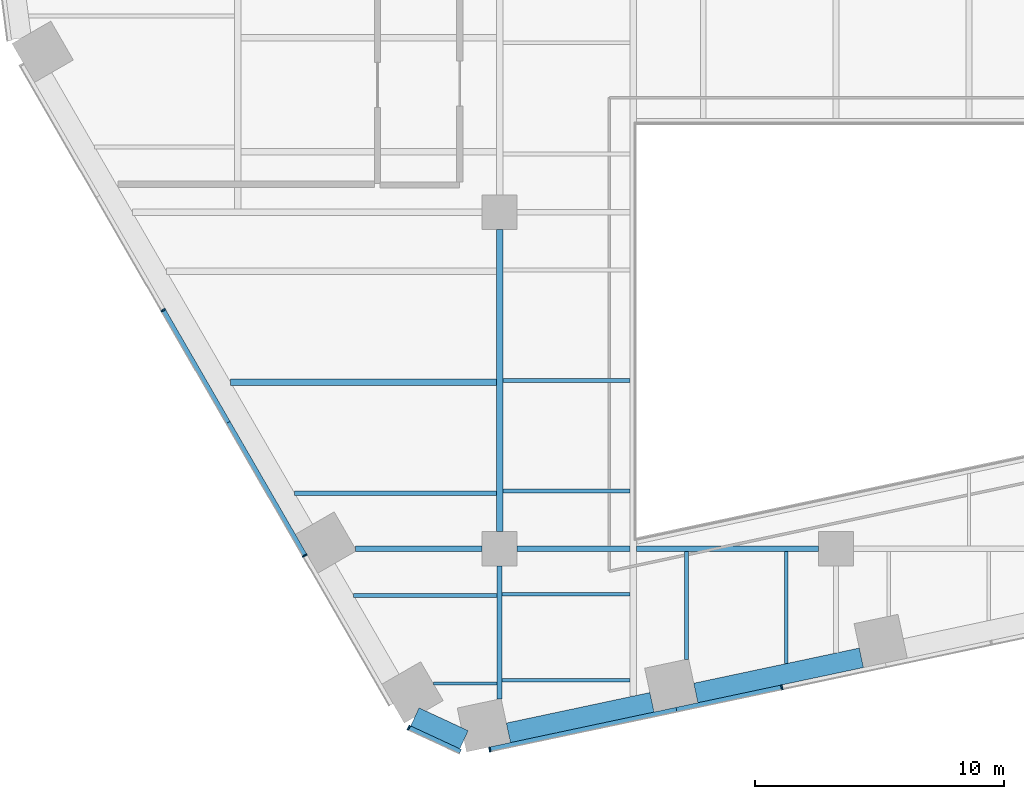
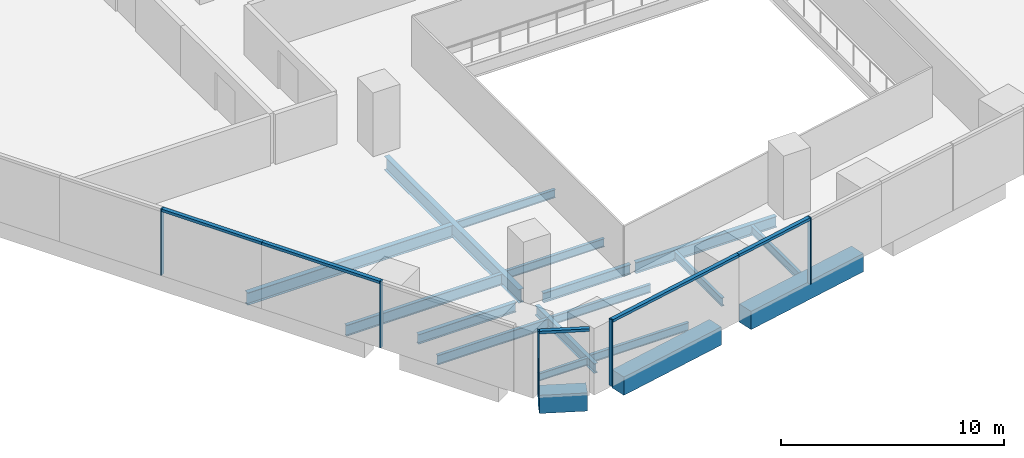
# One storey, part 2 of 20: 18 beams, 10 members, 3 elements without a shape of their own.
"""IFC4 building model written with IfcOpenShell, lengths in metres."""

from ifc_helpers import new_model, si_unit, direction, frame, origin, origin_2d, place, context, subcontext, project, spatial, rectangle, i_section, extrude, material, layer, layer_set, material_profile, profile_set, type_object, element, aggregate, save


model = new_model("IFC4")

# Units and contexts
model_context = context("Model", 3, precision=1e-05, world=origin(), true_north=direction((0.0, 1.0)))
body_context = subcontext(model_context, "Body", "Model", "MODEL_VIEW")
ifc_project = project(units=[si_unit("LENGTHUNIT", "METRE"), si_unit("AREAUNIT", "SQUARE_METRE"), si_unit("VOLUMEUNIT", "CUBIC_METRE"), si_unit("PLANEANGLEUNIT", "RADIAN"), si_unit("MASSUNIT", "GRAM", prefix="KILO")], contexts=[model_context])

# Site, building, storey
site_placement = place(None, origin())
site = spatial("IfcSite", under=ifc_project, at=site_placement, CompositionType="ELEMENT")
building_placement = place(site_placement, origin())
building = spatial("IfcBuilding", under=site, at=building_placement, Name="Isthmus Gate Tower", CompositionType="ELEMENT")
storey_placement = place(building_placement, frame((0.0, 0.0, 43.300048828125)))
storey = spatial("IfcBuildingStorey", under=building, at=storey_placement, Name="L08", CompositionType="ELEMENT", Elevation=43.300048828125)

# Curtain wall, members
ifc_material_1 = material(Name="Aluminium, pale champagne anodised", Category="aluminium")
ifc_layer = layer(ifc_material_1, 0.199951171875)
ifc_layer_set = layer_set([ifc_layer], Name="CW-1 UNITISED CURTAIN WALL 200 DEEP")
curtain_wall_type = type_object("IfcCurtainWallType", Name="CW-1 UNITISED CURTAIN WALL 200 DEEP", PredefinedType="NOTDEFINED", material=ifc_layer_set)
curtain_wall_1_placement = place(storey_placement, origin())
curtain_wall_1 = element("IfcCurtainWall", 1, at=curtain_wall_1_placement, inside=storey, type_object=curtain_wall_type, Name="CW-1 SW L08", PredefinedType="NOTDEFINED")
ifc_material_2 = material(Name="Aluminium, pale champagne anodised", Category="aluminium")
ifc_material_profile_1 = material_profile(ifc_material_2, rectangle(XDim=0.06005859375, YDim=0.199951171875, at=origin_2d()), Name="60x200")
ifc_profile_set_1 = profile_set([ifc_material_profile_1], Name="Aluminium, pale champagne anodised")
member_type_1 = type_object("IfcMemberType", Name="CW-1 MULLION 60 X 200", PredefinedType="MULLION", material=ifc_profile_set_1)
member_1_placement = place(storey_placement, frame((-27.001708984375, -17.431640625, 0.0), z_axis=(0.0, 0.0, 1.0), x_axis=(0.5, -0.866025403784, 0.0)))
member_1 = element("IfcMember", 2, at=member_1_placement, type_object=member_type_1, Name="CW-1 mullion", PredefinedType="MULLION", context=body_context, shape_type="SweptSolid", body=[
    extrude(rectangle(XDim=0.06005859375, YDim=0.199951171875, at=origin_2d()), origin(), (0.0, 0.0, 1.0), 3.64990234375),
])
member_2_placement = place(storey_placement, frame((-21.318115234375, -27.27587890625, 0.0), z_axis=(0.0, 0.0, 1.0), x_axis=(0.5, -0.866025403784, 0.0)))
member_2 = element("IfcMember", 3, at=member_2_placement, type_object=member_type_1, Name="CW-1 mullion", PredefinedType="MULLION", context=body_context, shape_type="SweptSolid", body=[
    extrude(rectangle(XDim=0.06005859375, YDim=0.199951171875, at=origin_2d()), origin(), (0.0, 0.0, 1.0), 3.64990234375),
])

# Curtain wall, member
curtain_wall_2_placement = place(storey_placement, origin())
curtain_wall_2 = element("IfcCurtainWall", 4, at=curtain_wall_2_placement, inside=storey, type_object=curtain_wall_type, Name="CW-1 SW-S L08", PredefinedType="NOTDEFINED")
member_3_placement = place(storey_placement, frame((-17.14794921875, -34.184814453125, 0.0), z_axis=(0.0, 0.0, 1.0), x_axis=(0.907256261367, -0.420578264073, 0.0)))
member_3 = element("IfcMember", 5, at=member_3_placement, type_object=member_type_1, Name="CW-1 mullion", PredefinedType="MULLION", context=body_context, shape_type="SweptSolid", body=[
    extrude(rectangle(XDim=0.06005859375, YDim=0.199951171875, at=origin_2d()), origin(), (0.0, 0.0, 1.0), 3.64990234375),
])

# Curtain wall, members
curtain_wall_3_placement = place(storey_placement, origin())
curtain_wall_3 = element("IfcCurtainWall", 6, at=curtain_wall_3_placement, inside=storey, type_object=curtain_wall_type, Name="CW-1 S L08", PredefinedType="NOTDEFINED")
member_4_placement = place(storey_placement, frame((-13.89501953125, -35.0556640625, 0.0), z_axis=(0.0, 0.0, 1.0), x_axis=(0.978147600734, 0.207911690818, 0.0)))
member_4 = element("IfcMember", 7, at=member_4_placement, type_object=member_type_1, Name="CW-1 mullion", PredefinedType="MULLION", context=body_context, shape_type="SweptSolid", body=[
    extrude(rectangle(XDim=0.06005859375, YDim=0.199951171875, at=origin_2d()), origin(), (0.0, 0.0, 1.0), 3.64990234375),
])
member_5_placement = place(storey_placement, frame((-2.1728515625, -32.564208984375, 0.0), z_axis=(0.0, 0.0, 1.0), x_axis=(0.978147600734, 0.207911690818, 0.0)))
member_5 = element("IfcMember", 8, at=member_5_placement, type_object=member_type_1, Name="CW-1 mullion", PredefinedType="MULLION", context=body_context, shape_type="SweptSolid", body=[
    extrude(rectangle(XDim=0.06005859375, YDim=0.199951171875, at=origin_2d()), origin(), (0.0, 0.0, 1.0), 3.64990234375),
])

# Member
ifc_material_3 = material(Name="Aluminium, pale champagne anodised", Category="aluminium")
ifc_material_profile_2 = material_profile(ifc_material_3, rectangle(XDim=0.199951171875, YDim=0.14990234375, at=origin_2d()), Name="200x150")
ifc_profile_set_2 = profile_set([ifc_material_profile_2], Name="Aluminium, pale champagne anodised")
member_type_2 = type_object("IfcMemberType", Name="CW-1 TRANSOM 200 X 150", PredefinedType="USERDEFINED", material=ifc_profile_set_2)
member_6_placement = place(storey_placement, frame((-26.98681640625, -17.45751953125, 3.574951171875), z_axis=(0.49999612508, -0.866027640959, 0.0), x_axis=(0.866027640959, 0.49999612508, 0.0)))
member_6 = element("IfcMember", 9, at=member_6_placement, type_object=member_type_2, Name="CW-1 transom", ObjectType="TRANSOM", PredefinedType="USERDEFINED", context=body_context, shape_type="SweptSolid", body=[
    extrude(rectangle(XDim=0.199951171875, YDim=0.14990234375, at=origin_2d()), origin(), (0.0, 0.0, 1.0), 5.173828125),
])

member_7_placement = place(storey_placement, frame((-24.39990234375, -21.938232421875, 3.574951171875), z_axis=(0.500017618927, -0.866015231253, 0.0), x_axis=(0.866015231253, 0.500017618927, 0.0)))
member_7 = element("IfcMember", 10, at=member_7_placement, type_object=member_type_2, Name="CW-1 transom", ObjectType="TRANSOM", PredefinedType="USERDEFINED", context=body_context, shape_type="SweptSolid", body=[
    extrude(rectangle(XDim=0.199951171875, YDim=0.14990234375, at=origin_2d()), origin(), (0.0, 0.0, 1.0), 6.133544921875),
])

aggregate(curtain_wall_1, [member_1, member_6, member_7, member_2])

member_8_placement = place(storey_placement, frame((-17.120849609375, -34.197509765625, 3.574951171875), z_axis=(0.907246225564, -0.420599912268, 0.0), x_axis=(0.420599912268, 0.907246225564, 0.0)))
member_8 = element("IfcMember", 11, at=member_8_placement, type_object=member_type_2, Name="CW-1 transom", ObjectType="TRANSOM", PredefinedType="USERDEFINED", context=body_context, shape_type="SweptSolid", body=[
    extrude(rectangle(XDim=0.199951171875, YDim=0.14990234375, at=origin_2d()), origin(), (0.0, 0.0, 1.0), 2.258544921875),
])

aggregate(curtain_wall_2, [member_3, member_8])

member_9_placement = place(storey_placement, frame((-13.86572265625, -35.049560546875, 3.574951171875), z_axis=(0.978149009137, 0.20790506469, 0.0), x_axis=(-0.20790506469, 0.978149009137, 0.0)))
member_9 = element("IfcMember", 12, at=member_9_placement, type_object=member_type_2, Name="CW-1 transom", ObjectType="TRANSOM", PredefinedType="USERDEFINED", context=body_context, shape_type="SweptSolid", body=[
    extrude(rectangle(XDim=0.199951171875, YDim=0.14990234375, at=origin_2d()), origin(), (0.0, 0.0, 1.0), 7.62939453125),
])

member_10_placement = place(storey_placement, frame((-6.403076171875, -33.46337890625, 3.574951171875), z_axis=(0.97813890815, 0.207952582007, 0.0), x_axis=(-0.207952582007, 0.97813890815, 0.0)))
member_10 = element("IfcMember", 13, at=member_10_placement, type_object=member_type_2, Name="CW-1 transom", ObjectType="TRANSOM", PredefinedType="USERDEFINED", context=body_context, shape_type="SweptSolid", body=[
    extrude(rectangle(XDim=0.199951171875, YDim=0.14990234375, at=origin_2d()), origin(), (0.0, 0.0, 1.0), 4.294677734375),
])

aggregate(curtain_wall_3, [member_4, member_9, member_10, member_5])

# Beams
ifc_material_4 = material(Name="Concrete f'c 70 MPa", Category="concrete")
ifc_material_profile_3 = material_profile(ifc_material_4, rectangle(XDim=0.800048828125, YDim=1.0, at=origin_2d()), Name="RC 800X1000")
ifc_profile_set_3 = profile_set([ifc_material_profile_3], Name="Concrete f'c 70 MPa")
beam_type_1 = type_object("IfcBeamType", Name="RC SPANDREL 800 X 1000", PredefinedType="SPANDREL", material=ifc_profile_set_3)
beam_1_placement = place(storey_placement, frame((1.01416015625, -31.37548828125, -0.5), z_axis=(-0.978145779981, -0.207920256603, 0.0), x_axis=(0.207920256603, -0.978145779981, 0.0)))
element("IfcBeam", 14, at=beam_1_placement, inside=storey, type_object=beam_type_1, Name="str-spandrel-L08-12", PredefinedType="SPANDREL", context=body_context, shape_type="SweptSolid", body=[
    extrude(rectangle(XDim=0.800048828125, YDim=1.0, at=origin_2d()), origin(), (0.0, 0.0, 1.0), 6.789306640625),
])
beam_2_placement = place(storey_placement, frame((-7.387451171875, -33.161376953125, -0.5), z_axis=(-0.978149894464, -0.207900899374, 0.0), x_axis=(0.207900899374, -0.978149894464, 0.0)))
element("IfcBeam", 15, at=beam_2_placement, inside=storey, type_object=beam_type_1, Name="str-spandrel-L08-13", PredefinedType="SPANDREL", context=body_context, shape_type="SweptSolid", body=[
    extrude(rectangle(XDim=0.800048828125, YDim=1.0, at=origin_2d()), origin(), (0.0, 0.0, 1.0), 5.88916015625),
])
beam_3_placement = place(storey_placement, frame((-14.929443359375, -34.662109375, -0.5), z_axis=(-0.907290744498, 0.420503870314, 0.0), x_axis=(-0.420503870314, -0.907290744498, 0.0)))
element("IfcBeam", 16, at=beam_3_placement, inside=storey, type_object=beam_type_1, Name="str-spandrel-L08-14", PredefinedType="SPANDREL", context=body_context, shape_type="SweptSolid", body=[
    extrude(rectangle(XDim=0.800048828125, YDim=1.0, at=origin_2d()), origin(), (0.0, 0.0, 1.0), 2.173095703125),
])
ifc_material_5 = material(Name="Structural steel ASTM A992 Gr 50", Category="steel")
ifc_material_profile_4 = material_profile(ifc_material_5, i_section(OverallWidth=0.1396484375, OverallDepth=0.4033203125, WebThickness=0.00634765625, FlangeThickness=0.010986328125, at=origin_2d()), Name="W16X31")
ifc_profile_set_4 = profile_set([ifc_material_profile_4], Name="Structural steel ASTM A992 Gr 50")
beam_type_2 = type_object("IfcBeamType", Name="STEEL FLOOR BEAM W16X31", PredefinedType="JOIST", material=ifc_profile_set_4)
beam_4_placement = place(storey_placement, frame((-16.162353515625, -32.406005859375, -0.3515625), z_axis=(1.0, 0.0, 0.0), x_axis=(0.0, 1.0, 0.0)))
element("IfcBeam", 17, at=beam_4_placement, inside=storey, type_object=beam_type_2, Name="str-beam-L08-09-00", PredefinedType="JOIST", context=body_context, shape_type="SweptSolid", body=[
    extrude(i_section(OverallWidth=0.1396484375, OverallDepth=0.4033203125, WebThickness=0.00634765625, FlangeThickness=0.010986328125, at=origin_2d()), origin(), (0.0, 0.0, 1.0), 2.5576171875),
])
ifc_material_6 = material(Name="Structural steel ASTM A992 Gr 50", Category="steel")
ifc_material_profile_5 = material_profile(ifc_material_6, i_section(OverallWidth=0.15234375, OverallDepth=0.45068359375, WebThickness=0.0078125, FlangeThickness=0.010986328125, at=origin_2d()), Name="W18X35")
ifc_profile_set_5 = profile_set([ifc_material_profile_5], Name="Structural steel ASTM A992 Gr 50")
beam_type_3 = type_object("IfcBeamType", Name="STEEL FLOOR BEAM W18X35", PredefinedType="JOIST", material=ifc_profile_set_5)
for number, where, z_axis, x_axis, name in (
    (18, (-13.395263671875, -32.27197265625, -0.37548828125), (1.0, 0.0, 0.0), (0.0, 1.0, 0.0), "str-beam-L08-10-00"),
    (19, (-13.395263671875, -28.8271484375, -0.37548828125), (1.0, 0.0, 0.0), (0.0, 1.0, 0.0), "str-beam-L08-10-01"),
):
    element("IfcBeam", number, at=place(storey_placement, frame(where, z_axis=z_axis, x_axis=x_axis)), inside=storey, type_object=beam_type_3, Name=name, PredefinedType="JOIST", context=body_context, shape_type="SweptSolid", body=[
        extrude(i_section(OverallWidth=0.15234375, OverallDepth=0.45068359375, WebThickness=0.0078125, FlangeThickness=0.010986328125, at=origin_2d()), origin(), (0.0, 0.0, 1.0), 5.128662109375),
    ])
for number, where, z_axis, x_axis, name in (
    (20, (-13.3681640625, -24.68017578125, -0.37548828125), (1.0, 0.0, 0.0), (0.0, 1.0, 0.0), "str-beam-L08-12-00"),
    (21, (-13.3681640625, -20.25, -0.37548828125), (1.0, 0.0, 0.0), (0.0, 1.0, 0.0), "str-beam-L08-12-01"),
):
    element("IfcBeam", number, at=place(storey_placement, frame(where, z_axis=z_axis, x_axis=x_axis)), inside=storey, type_object=beam_type_3, Name=name, PredefinedType="JOIST", context=body_context, shape_type="SweptSolid", body=[
        extrude(i_section(OverallWidth=0.15234375, OverallDepth=0.45068359375, WebThickness=0.0078125, FlangeThickness=0.010986328125, at=origin_2d()), origin(), (0.0, 0.0, 1.0), 5.1015625),
    ])
beam_5_placement = place(storey_placement, frame((-6.0, -31.43505859375, -0.37548828125), z_axis=(0.0, 1.0, 0.0), x_axis=(-1.0, 0.0, 0.0)))
element("IfcBeam", 22, at=beam_5_placement, inside=storey, type_object=beam_type_3, Name="str-beam-L08-15-00", PredefinedType="JOIST", context=body_context, shape_type="SweptSolid", body=[
    extrude(i_section(OverallWidth=0.15234375, OverallDepth=0.45068359375, WebThickness=0.0078125, FlangeThickness=0.010986328125, at=origin_2d()), origin(), (0.0, 0.0, 1.0), 4.32080078125),
])
beam_6_placement = place(storey_placement, frame((-2.0, -31.607177734375, -0.37548828125), z_axis=(0.0, 1.0, 0.0), x_axis=(-1.0, 0.0, 0.0)))
element("IfcBeam", 23, at=beam_6_placement, inside=storey, type_object=beam_type_3, Name="str-beam-L08-15-01", PredefinedType="JOIST", context=body_context, shape_type="SweptSolid", body=[
    extrude(i_section(OverallWidth=0.15234375, OverallDepth=0.45068359375, WebThickness=0.0078125, FlangeThickness=0.010986328125, at=origin_2d()), origin(), (0.0, 0.0, 1.0), 4.492919921875),
])
ifc_material_7 = material(Name="Structural steel ASTM A992 Gr 50", Category="steel")
ifc_material_profile_6 = material_profile(ifc_material_7, i_section(OverallWidth=0.1650390625, OverallDepth=0.52392578125, WebThickness=0.009521484375, FlangeThickness=0.010986328125, at=origin_2d()), Name="W21X44")
ifc_profile_set_6 = profile_set([ifc_material_profile_6], Name="Structural steel ASTM A992 Gr 50")
beam_type_4 = type_object("IfcBeamType", Name="STEEL FLOOR BEAM W21X44", PredefinedType="JOIST", material=ifc_profile_set_6)
beam_7_placement = place(storey_placement, frame((-19.357421875, -28.871826171875, -0.412109375), z_axis=(1.0, 0.0, 0.0), x_axis=(0.0, 1.0, 0.0)))
element("IfcBeam", 24, at=beam_7_placement, inside=storey, type_object=beam_type_4, Name="str-beam-L08-09-01", PredefinedType="JOIST", context=body_context, shape_type="SweptSolid", body=[
    extrude(i_section(OverallWidth=0.1650390625, OverallDepth=0.52392578125, WebThickness=0.009521484375, FlangeThickness=0.010986328125, at=origin_2d()), origin(), (0.0, 0.0, 1.0), 5.752685546875),
])
ifc_material_8 = material(Name="Structural steel ASTM A992 Gr 50", Category="steel")
ifc_material_profile_7 = material_profile(ifc_material_8, i_section(OverallWidth=0.177734375, OverallDepth=0.60009765625, WebThickness=0.009521484375, FlangeThickness=0.0126953125, at=origin_2d()), Name="W24X55")
ifc_profile_set_7 = profile_set([ifc_material_profile_7], Name="Structural steel ASTM A992 Gr 50")
beam_type_5 = type_object("IfcBeamType", Name="STEEL FLOOR BEAM W24X55", PredefinedType="JOIST", material=ifc_profile_set_7)
beam_8_placement = place(storey_placement, frame((-21.724365234375, -24.772216796875, -0.4501953125), z_axis=(1.0, 0.0, 0.0), x_axis=(0.0, 1.0, 0.0)))
element("IfcBeam", 25, at=beam_8_placement, inside=storey, type_object=beam_type_5, Name="str-beam-L08-05-00", PredefinedType="JOIST", context=body_context, shape_type="SweptSolid", body=[
    extrude(i_section(OverallWidth=0.177734375, OverallDepth=0.60009765625, WebThickness=0.009521484375, FlangeThickness=0.0126953125, at=origin_2d()), origin(), (0.0, 0.0, 1.0), 8.092529296875),
])
ifc_material_9 = material(Name="Structural steel ASTM A992 Gr 50", Category="steel")
ifc_material_profile_8 = material_profile(ifc_material_9, i_section(OverallWidth=0.25390625, OverallDepth=0.679443359375, WebThickness=0.010986328125, FlangeThickness=0.015869140625, at=origin_2d()), Name="W27X84")
ifc_profile_set_8 = profile_set([ifc_material_profile_8], Name="Structural steel ASTM A992 Gr 50")
beam_type_6 = type_object("IfcBeamType", Name="STEEL FLOOR BEAM W27X84", PredefinedType="JOIST", material=ifc_profile_set_8)
beam_9_placement = place(storey_placement, frame((-24.296875, -20.316650390625, -0.48974609375), z_axis=(1.0, 0.0, 0.0), x_axis=(0.0, 1.0, 0.0)))
element("IfcBeam", 26, at=beam_9_placement, inside=storey, type_object=beam_type_6, Name="str-beam-L08-05-01", PredefinedType="JOIST", context=body_context, shape_type="SweptSolid", body=[
    extrude(i_section(OverallWidth=0.25390625, OverallDepth=0.679443359375, WebThickness=0.010986328125, FlangeThickness=0.015869140625, at=origin_2d()), origin(), (0.0, 0.0, 1.0), 10.6650390625),
])
ifc_material_10 = material(Name="Structural steel ASTM A992 Gr 50", Category="steel")
ifc_material_profile_9 = material_profile(ifc_material_10, i_section(OverallWidth=0.20947265625, OverallDepth=0.533447265625, WebThickness=0.009521484375, FlangeThickness=0.015869140625, at=origin_2d()), Name="W21X62")
ifc_profile_set_9 = profile_set([ifc_material_profile_9], Name="Structural steel ASTM A992 Gr 50")
beam_type_7 = type_object("IfcBeamType", Name="STEEL GIRDER W21X62", PredefinedType="BEAM", material=ifc_profile_set_9)
beam_10_placement = place(storey_placement, frame((-19.283447265625, -27.0, -0.416748046875), z_axis=(1.0, 0.0, 0.0), x_axis=(0.0, 1.0, 0.0)))
element("IfcBeam", 27, at=beam_10_placement, inside=storey, type_object=beam_type_7, Name="str-girder-L08-01", PredefinedType="BEAM", context=body_context, shape_type="SweptSolid", body=[
    extrude(i_section(OverallWidth=0.20947265625, OverallDepth=0.533447265625, WebThickness=0.009521484375, FlangeThickness=0.015869140625, at=origin_2d()), origin(), (0.0, 0.0, 1.0), 5.08349609375),
])
beam_11_placement = place(storey_placement, frame((-12.800048828125, -27.0, -0.416748046875), z_axis=(1.0, 0.0, 0.0), x_axis=(0.0, 1.0, 0.0)))
element("IfcBeam", 28, at=beam_11_placement, inside=storey, type_object=beam_type_7, Name="str-girder-L08-02", PredefinedType="BEAM", context=body_context, shape_type="SweptSolid", body=[
    extrude(i_section(OverallWidth=0.20947265625, OverallDepth=0.533447265625, WebThickness=0.009521484375, FlangeThickness=0.015869140625, at=origin_2d()), origin(), (0.0, 0.0, 1.0), 4.533447265625),
])
beam_12_placement = place(storey_placement, frame((-13.5, -33.029296875, -0.416748046875), z_axis=(0.0, 1.0, 0.0), x_axis=(-1.0, 0.0, 0.0)))
element("IfcBeam", 29, at=beam_12_placement, inside=storey, type_object=beam_type_7, Name="str-girder-L08-23", PredefinedType="BEAM", context=body_context, shape_type="SweptSolid", body=[
    extrude(i_section(OverallWidth=0.20947265625, OverallDepth=0.533447265625, WebThickness=0.009521484375, FlangeThickness=0.015869140625, at=origin_2d()), origin(), (0.0, 0.0, 1.0), 5.329345703125),
])
ifc_material_11 = material(Name="Structural steel ASTM A992 Gr 50", Category="steel")
ifc_material_profile_10 = material_profile(ifc_material_11, i_section(OverallWidth=0.228515625, OverallDepth=0.603271484375, WebThickness=0.010986328125, FlangeThickness=0.014404296875, at=origin_2d()), Name="W24X68")
ifc_profile_set_10 = profile_set([ifc_material_profile_10], Name="Structural steel ASTM A992 Gr 50")
beam_type_8 = type_object("IfcBeamType", Name="STEEL GIRDER W24X68", PredefinedType="BEAM", material=ifc_profile_set_10)
beam_13_placement = place(storey_placement, frame((-8.0, -27.0, -0.45166015625), z_axis=(1.0, 0.0, 0.0), x_axis=(0.0, 1.0, 0.0)))
element("IfcBeam", 30, at=beam_13_placement, inside=storey, type_object=beam_type_8, Name="str-girder-L08-03", PredefinedType="BEAM", context=body_context, shape_type="SweptSolid", body=[
    extrude(i_section(OverallWidth=0.228515625, OverallDepth=0.603271484375, WebThickness=0.010986328125, FlangeThickness=0.014404296875, at=origin_2d()), origin(), (0.0, 0.0, 1.0), 7.300048828125),
])
ifc_material_12 = material(Name="Structural steel ASTM A992 Gr 50", Category="steel")
ifc_material_profile_11 = material_profile(ifc_material_12, i_section(OverallWidth=0.263427734375, OverallDepth=0.749267578125, WebThickness=0.0126953125, FlangeThickness=0.015869140625, at=origin_2d()), Name="W30X90")
ifc_profile_set_11 = profile_set([ifc_material_profile_11], Name="Structural steel ASTM A992 Gr 50")
beam_type_9 = type_object("IfcBeamType", Name="STEEL GIRDER W30X90", PredefinedType="BEAM", material=ifc_profile_set_11)
beam_14_placement = place(storey_placement, frame((-13.5, -26.300048828125, -0.524658203125), z_axis=(0.0, 1.0, 0.0), x_axis=(-1.0, 0.0, 0.0)))
element("IfcBeam", 31, at=beam_14_placement, inside=storey, type_object=beam_type_9, Name="str-girder-L08-24", PredefinedType="BEAM", context=body_context, shape_type="SweptSolid", body=[
    extrude(i_section(OverallWidth=0.263427734375, OverallDepth=0.749267578125, WebThickness=0.0126953125, FlangeThickness=0.015869140625, at=origin_2d()), origin(), (0.0, 0.0, 1.0), 12.10009765625),
])

save(model, "model.ifc")
